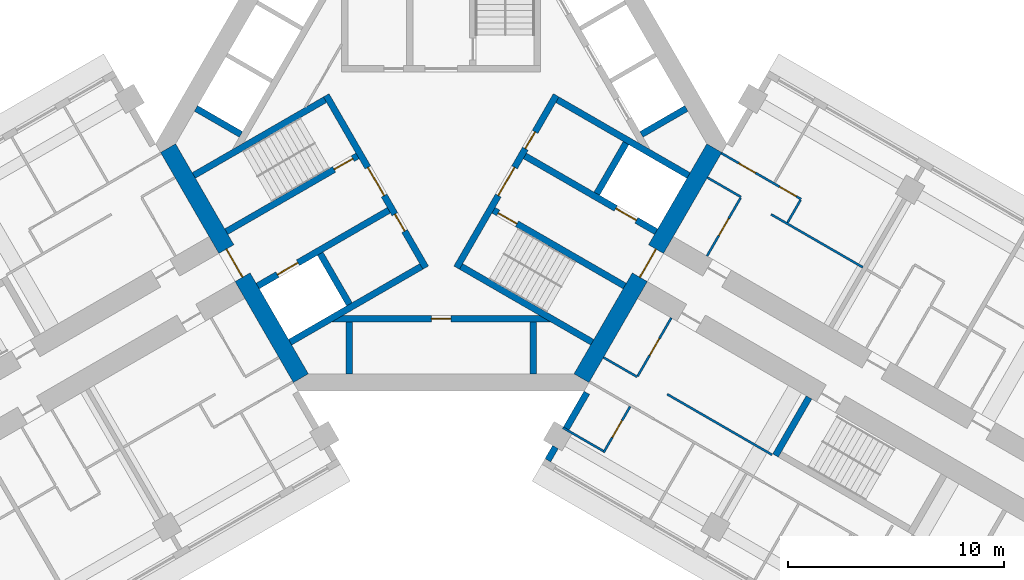
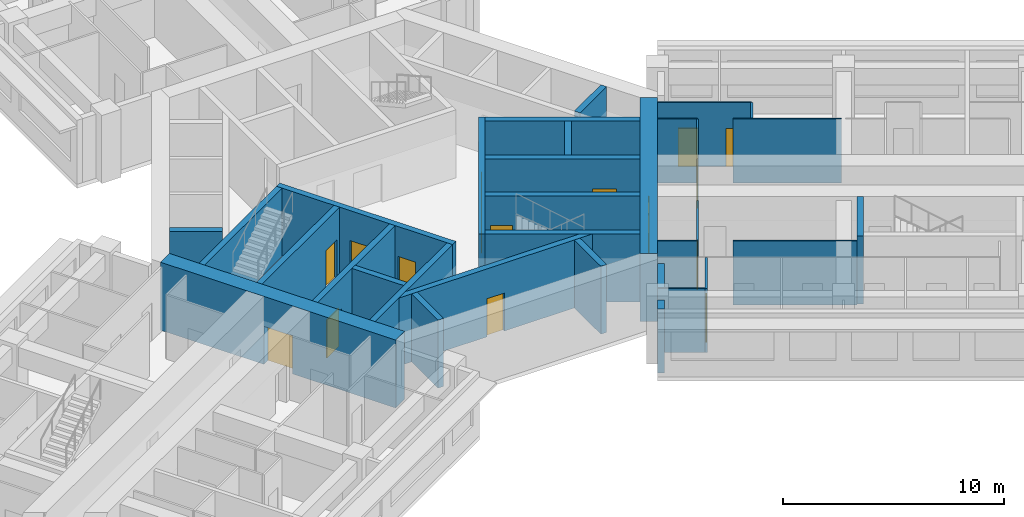
# One storey, part 7 of 16: 32 walls, 16 doors, 16 openings.
"""IFC4 building model written with IfcOpenShell, lengths in metres."""

from ifc_helpers import new_model, si_unit, direction, frame, frame_2d, origin, place, context, subcontext, project, spatial, rectangle, extrude, material, layer, layer_set, type_object, element, fill, save


model = new_model("IFC4")

# Units and contexts
model_context = context("Model", 3, precision=1e-05, world=origin(), true_north=direction((0.0, 1.0)))
body_context = subcontext(model_context, "Body", "Model", "MODEL_VIEW")
ifc_project = project(units=[si_unit("LENGTHUNIT", "METRE"), si_unit("AREAUNIT", "SQUARE_METRE"), si_unit("VOLUMEUNIT", "CUBIC_METRE"), si_unit("PLANEANGLEUNIT", "RADIAN"), si_unit("MASSUNIT", "GRAM", prefix="KILO")], contexts=[model_context])

# Site, building, storey
site_placement = place(None, origin())
site = spatial("IfcSite", under=ifc_project, at=site_placement, CompositionType="ELEMENT")
building_placement = place(site_placement, origin())
building = spatial("IfcBuilding", under=site, at=building_placement, Name="Impinga Residences", CompositionType="ELEMENT")
storey_placement = place(building_placement, frame((0.0, 0.0, 106.0)))
storey = spatial("IfcBuildingStorey", under=building, at=storey_placement, Name="L25", CompositionType="ELEMENT", Elevation=106.0)

# Walls
ifc_material_1 = material(Name="Terracotta rainscreen on blockwork", Category="masonry")
ifc_layer_1 = layer(ifc_material_1, 0.300048828125)
ifc_layer_set_1 = layer_set([ifc_layer_1], Name="EW1 external wall, terracotta rainscreen on blockwork 300")
wall_type_1 = type_object("IfcWallType", Name="EW1 external wall, terracotta rainscreen on blockwork 300", PredefinedType="SOLIDWALL", material=ifc_layer_set_1)
wall_1_placement = place(storey_placement, frame((4.929931640625, -14.624267578125, 0.0), z_axis=(0.0, 0.0, 1.0), x_axis=(0.499853302173, 0.866110083249, 0.0)))
element("IfcWall", 1, at=wall_1_placement, inside=storey, type_object=wall_type_1, Name="External wall EW1 L25", PredefinedType="SOLIDWALL", context=body_context, shape_type="SweptSolid", body=[
    extrude(rectangle(XDim=0.699951171875, YDim=0.300048828125, at=frame_2d((0.35009765625, 0.0))), origin(), (0.0, 0.0, 1.0), 3.530029296875),
])
wall_2_placement = place(storey_placement, frame((5.77978515625, -13.152099609375, 0.0), z_axis=(0.0, 0.0, 1.0), x_axis=(0.500063520245, 0.865988727248, 0.0)))
element("IfcWall", 2, at=wall_2_placement, inside=storey, type_object=wall_type_1, Name="External wall EW1 L25", PredefinedType="SOLIDWALL", context=body_context, shape_type="SweptSolid", body=[
    extrude(rectangle(XDim=1.900146484375, YDim=0.300048828125, at=frame_2d((0.9501953125, 0.0))), origin(), (0.0, 0.0, 1.0), 3.530029296875),
])
ifc_material_2 = material(Name="Gypsum board on steel studs", Category="steel")
ifc_layer_2 = layer(ifc_material_2, 0.10009765625)
ifc_layer_set_2 = layer_set([ifc_layer_2], Name="Gypsum board on steel studs")
wall_type_2 = type_object("IfcWallType", Name="IP1 partition 100", PredefinedType="PARTITIONING", material=ifc_layer_set_2)
wall_3_placement = place(storey_placement, frame((12.300048828125, -1.558837890625, 0.0), z_axis=(0.0, 0.0, 1.0), x_axis=(0.866047807691, -0.499961193289, 0.0)))
element("IfcWall", 3, at=wall_3_placement, inside=storey, type_object=wall_type_2, Name="Partition L25-EA1:DIV0", PredefinedType="PARTITIONING", context=body_context, shape_type="SweptSolid", body=[
    extrude(rectangle(XDim=1.800048828125, YDim=0.10009765625, at=frame_2d((0.89990234375, 0.0))), origin(), (0.0, 0.0, 1.0), 3.530029296875),
])
wall_4_placement = place(storey_placement, frame((15.244384765625, -3.2587890625, 0.0), z_axis=(0.0, 0.0, 1.0), x_axis=(0.866036242063, -0.49998122708, 0.0)))
element("IfcWall", 4, at=wall_4_placement, inside=storey, type_object=wall_type_2, Name="Partition L25-EA1:DIV1", PredefinedType="PARTITIONING", context=body_context, shape_type="SweptSolid", body=[
    extrude(rectangle(XDim=4.900146484375, YDim=0.10009765625, at=frame_2d((2.4501953125, 0.0))), origin(), (0.0, 0.0, 1.0), 3.530029296875),
])

# Wall, openings, doors
wall_5_placement = place(storey_placement, frame((12.949951171875, -0.43310546875, 0.0), z_axis=(0.0, 0.0, 1.0), x_axis=(0.866028703517, -0.499994284652, 0.0)))
wall_5 = element("IfcWall", 5, at=wall_5_placement, inside=storey, type_object=wall_type_2, Name="Partition L25-EA1:STRIP", PredefinedType="PARTITIONING", context=body_context, shape_type="SweptSolid", body=[
    extrude(rectangle(XDim=4.25, YDim=0.10009765625, at=frame_2d((2.125, 0.0))), origin(), (0.0, 0.0, 1.0), 3.530029296875),
])
opening_1_placement = place(wall_5_placement, frame((0.925048828125, 0.0, 0.0)))
opening_1 = element("IfcOpeningElement", 6, at=opening_1_placement, cuts=wall_5, Name="Opening D2", PredefinedType="OPENING", context=body_context, shape_type="SweptSolid", body=[
    extrude(rectangle(XDim=0.89990234375, YDim=2.10009765625, at=frame_2d((0.449951171875, 1.050048828125))), frame((0.0, 0.06005859375, 0.0), z_axis=(0.0, -1.0, 0.0), x_axis=(1.0, 0.0, 0.0)), (0.0, 0.0, 1.0), 0.1201171875),
])
opening_2_placement = place(wall_5_placement, frame((3.10009765625, 0.0, 0.0)))
opening_2 = element("IfcOpeningElement", 7, at=opening_2_placement, cuts=wall_5, Name="Opening D2", PredefinedType="OPENING", context=body_context, shape_type="SweptSolid", body=[
    extrude(rectangle(XDim=0.89990234375, YDim=2.10009765625, at=frame_2d((0.449951171875, 1.050048828125))), frame((0.0, 0.06005859375, 0.0), z_axis=(0.0, -1.0, 0.0), x_axis=(1.0, 0.0, 0.0)), (0.0, 0.0, 1.0), 0.1201171875),
])
ifc_material_3 = material(Name="Timber door set", Category="wood")
door_type_1 = type_object("IfcDoorType", Name="D2 internal door 900x2100", OperationType="SINGLE_SWING_LEFT", PredefinedType="DOOR", material=ifc_material_3)
door_1_placement = place(opening_1_placement, origin())
door_1 = element("IfcDoor", 8, at=door_1_placement, inside=storey, type_object=door_type_1, Name="Apartment L25-EA1 room door", OperationType="SINGLE_SWING_LEFT", OverallHeight=2.10009765625, OverallWidth=0.89990234375, PredefinedType="DOOR", context=body_context, shape_type="SweptSolid", body=[
    extrude(rectangle(XDim=0.89990234375, YDim=2.10009765625, at=frame_2d((0.449951171875, 1.050048828125))), frame((0.0, 0.02490234375, 0.0), z_axis=(0.0, -1.0, 0.0), x_axis=(1.0, 0.0, 0.0)), (0.0, 0.0, 1.0), 0.050048828125),
])
fill(opening_1, door_1)
door_2_placement = place(opening_2_placement, origin())
door_2 = element("IfcDoor", 9, at=door_2_placement, inside=storey, type_object=door_type_1, Name="Apartment L25-EA1 room door", OperationType="SINGLE_SWING_RIGHT", OverallHeight=2.10009765625, OverallWidth=0.89990234375, PredefinedType="DOOR", context=body_context, shape_type="SweptSolid", body=[
    extrude(rectangle(XDim=0.89990234375, YDim=2.10009765625, at=frame_2d((0.449951171875, 1.050048828125))), frame((0.0, 0.02490234375, 0.0), z_axis=(0.0, -1.0, 0.0), x_axis=(1.0, 0.0, 0.0)), (0.0, 0.0, 1.0), 0.050048828125),
])
fill(opening_2, door_2)

# Wall
wall_6_placement = place(storey_placement, frame((16.005615234375, -3.640625, 0.0), z_axis=(0.0, 0.0, 1.0), x_axis=(0.500033551112, 0.866006032174, 0.0)))
element("IfcWall", 10, at=wall_6_placement, inside=storey, type_object=wall_type_2, Name="Partition L25-EA1:SE1", PredefinedType="PARTITIONING", context=body_context, shape_type="SweptSolid", body=[
    extrude(rectangle(XDim=1.2001953125, YDim=0.10009765625, at=frame_2d((0.60009765625, 0.0))), origin(), (0.0, 0.0, 1.0), 3.530029296875),
])

# Wall, opening, door
wall_7_placement = place(storey_placement, frame((12.283935546875, -5.186767578125, 0.0), z_axis=(0.0, 0.0, 1.0), x_axis=(0.499967891604, 0.866043940782, 0.0)))
wall_7 = element("IfcWall", 11, at=wall_7_placement, inside=storey, type_object=wall_type_2, Name="Partition L25-EA1:IB1", PredefinedType="PARTITIONING", context=body_context, shape_type="SweptSolid", body=[
    extrude(rectangle(XDim=3.099853515625, YDim=0.10009765625, at=frame_2d((1.5498046875, 0.0))), origin(), (0.0, 0.0, 1.0), 3.530029296875),
])
opening_3_placement = place(wall_7_placement, frame((1.10009765625, 0.0, 0.0)))
opening_3 = element("IfcOpeningElement", 12, at=opening_3_placement, cuts=wall_7, Name="Opening D2", PredefinedType="OPENING", context=body_context, shape_type="SweptSolid", body=[
    extrude(rectangle(XDim=0.89990234375, YDim=2.10009765625, at=frame_2d((0.449951171875, 1.050048828125))), frame((0.0, 0.06005859375, 0.0), z_axis=(0.0, -1.0, 0.0), x_axis=(1.0, 0.0, 0.0)), (0.0, 0.0, 1.0), 0.1201171875),
])
door_3_placement = place(opening_3_placement, origin())
door_3 = element("IfcDoor", 13, at=door_3_placement, inside=storey, type_object=door_type_1, Name="Apartment L25-EA1 bathroom door", OperationType="SINGLE_SWING_LEFT", OverallHeight=2.10009765625, OverallWidth=0.89990234375, PredefinedType="DOOR", context=body_context, shape_type="SweptSolid", body=[
    extrude(rectangle(XDim=0.89990234375, YDim=2.10009765625, at=frame_2d((0.449951171875, 1.050048828125))), frame((0.0, 0.02490234375, 0.0), z_axis=(0.0, -1.0, 0.0), x_axis=(1.0, 0.0, 0.0)), (0.0, 0.0, 1.0), 0.050048828125),
])
fill(opening_3, door_3)

# Walls
wall_8_placement = place(storey_placement, frame((7.5, -9.872802734375, 0.0), z_axis=(0.0, 0.0, 1.0), x_axis=(0.866047807691, -0.499961193289, 0.0)))
element("IfcWall", 14, at=wall_8_placement, inside=storey, type_object=wall_type_2, Name="Partition L25-EF1:DIV0", PredefinedType="PARTITIONING", context=body_context, shape_type="SweptSolid", body=[
    extrude(rectangle(XDim=1.800048828125, YDim=0.10009765625, at=frame_2d((0.89990234375, 0.0))), origin(), (0.0, 0.0, 1.0), 3.530029296875),
])
wall_9_placement = place(storey_placement, frame((10.444580078125, -11.57275390625, 0.0), z_axis=(0.0, 0.0, 1.0), x_axis=(0.866015695474, -0.500016814911, 0.0)))
element("IfcWall", 15, at=wall_9_placement, inside=storey, type_object=wall_type_2, Name="Partition L25-EF1:DIV1", PredefinedType="PARTITIONING", context=body_context, shape_type="SweptSolid", body=[
    extrude(rectangle(XDim=5.599853515625, YDim=0.10009765625, at=frame_2d((2.7998046875, 0.0))), origin(), (0.0, 0.0, 1.0), 3.530029296875),
])

# Wall, opening, door
wall_10_placement = place(storey_placement, frame((10.6337890625, -8.044677734375, 0.0), z_axis=(0.0, 0.0, 1.0), x_axis=(-0.49999285859, -0.86602952684, 0.0)))
wall_10 = element("IfcWall", 16, at=wall_10_placement, inside=storey, type_object=wall_type_2, Name="Partition L25-EF1:IB1", PredefinedType="PARTITIONING", context=body_context, shape_type="SweptSolid", body=[
    extrude(rectangle(XDim=3.10009765625, YDim=0.10009765625, at=frame_2d((1.550048828125, 0.0))), origin(), (0.0, 0.0, 1.0), 3.530029296875),
])
opening_4_placement = place(wall_10_placement, frame((1.10009765625, 0.0, 0.0)))
opening_4 = element("IfcOpeningElement", 17, at=opening_4_placement, cuts=wall_10, Name="Opening D2", PredefinedType="OPENING", context=body_context, shape_type="SweptSolid", body=[
    extrude(rectangle(XDim=0.89990234375, YDim=2.10009765625, at=frame_2d((0.449951171875, 1.050048828125))), frame((0.0, 0.06005859375, 0.0), z_axis=(0.0, -1.0, 0.0), x_axis=(1.0, 0.0, 0.0)), (0.0, 0.0, 1.0), 0.1201171875),
])
door_4_placement = place(opening_4_placement, origin())
door_4 = element("IfcDoor", 18, at=door_4_placement, inside=storey, type_object=door_type_1, Name="Apartment L25-EF1 bathroom door", OperationType="SINGLE_SWING_LEFT", OverallHeight=2.10009765625, OverallWidth=0.89990234375, PredefinedType="DOOR", context=body_context, shape_type="SweptSolid", body=[
    extrude(rectangle(XDim=0.89990234375, YDim=2.10009765625, at=frame_2d((0.449951171875, 1.050048828125))), frame((0.0, 0.02490234375, 0.0), z_axis=(0.0, -1.0, 0.0), x_axis=(1.0, 0.0, 0.0)), (0.0, 0.0, 1.0), 0.050048828125),
])
fill(opening_4, door_4)

wall_11_placement = place(storey_placement, frame((8.730224609375, -12.141845703125, 0.0), z_axis=(0.0, 0.0, 1.0), x_axis=(-0.499943856944, -0.866057815567, 0.0)))
wall_11 = element("IfcWall", 19, at=wall_11_placement, inside=storey, type_object=wall_type_2, Name="Partition L25-EF1:EN1", PredefinedType="PARTITIONING", context=body_context, shape_type="SweptSolid", body=[
    extrude(rectangle(XDim=2.449951171875, YDim=0.10009765625, at=frame_2d((1.22509765625, 0.0))), origin(), (0.0, 0.0, 1.0), 3.530029296875),
])
opening_5_placement = place(wall_11_placement, frame((0.75, 0.0, 0.0)))
opening_5 = element("IfcOpeningElement", 20, at=opening_5_placement, cuts=wall_11, Name="Opening D2", PredefinedType="OPENING", context=body_context, shape_type="SweptSolid", body=[
    extrude(rectangle(XDim=0.89990234375, YDim=2.10009765625, at=frame_2d((0.449951171875, 1.050048828125))), frame((0.0, 0.06005859375, 0.0), z_axis=(0.0, -1.0, 0.0), x_axis=(1.0, 0.0, 0.0)), (0.0, 0.0, 1.0), 0.1201171875),
])
door_5_placement = place(opening_5_placement, origin())
door_5 = element("IfcDoor", 21, at=door_5_placement, inside=storey, type_object=door_type_1, Name="Apartment L25-EF1 en-suite door", OperationType="SINGLE_SWING_LEFT", OverallHeight=2.10009765625, OverallWidth=0.89990234375, PredefinedType="DOOR", context=body_context, shape_type="SweptSolid", body=[
    extrude(rectangle(XDim=0.89990234375, YDim=2.10009765625, at=frame_2d((0.449951171875, 1.050048828125))), frame((0.0, 0.02490234375, 0.0), z_axis=(0.0, -1.0, 0.0), x_axis=(1.0, 0.0, 0.0)), (0.0, 0.0, 1.0), 0.050048828125),
])
fill(opening_5, door_5)

# Walls
wall_12_placement = place(storey_placement, frame((5.625, -13.120361328125, 0.0), z_axis=(0.0, 0.0, 1.0), x_axis=(0.866047553582, -0.499961633463, 0.0)))
element("IfcWall", 22, at=wall_12_placement, inside=storey, type_object=wall_type_2, Name="Partition L25-EF1:EN2", PredefinedType="PARTITIONING", context=body_context, shape_type="SweptSolid", body=[
    extrude(rectangle(XDim=2.150146484375, YDim=0.10009765625, at=frame_2d((1.0751953125, 0.0))), origin(), (0.0, 0.0, 1.0), 3.530029296875),
])
ifc_material_4 = material(Name="Concrete C60/75", Category="concrete")
ifc_layer_3 = layer(ifc_material_4, 0.300048828125)
ifc_layer_set_3 = layer_set([ifc_layer_3], Name="Concrete C60/75")
wall_type_3 = type_object("IfcWallType", Name="SE1 wing stair enclosure wall 300", PredefinedType="SOLIDWALL", material=ifc_layer_set_3)
wall_13_placement = place(storey_placement, frame((16.9990234375, -11.7197265625, 0.0), z_axis=(0.0, 0.0, 1.0), x_axis=(-0.499967891604, -0.866043940782, 0.0)))
element("IfcWall", 23, at=wall_13_placement, inside=storey, type_object=wall_type_3, Name="Stair enclosure wall SE1 E END0 L25", PredefinedType="SOLIDWALL", context=body_context, shape_type="SweptSolid", body=[
    extrude(rectangle(XDim=3.099853515625, YDim=0.300048828125, at=frame_2d((1.5498046875, 0.0))), origin(), (0.0, 0.0, 1.0), 3.75),
])

# Wall, opening, door
ifc_layer_4 = layer(ifc_material_4, 0.800048828125)
ifc_layer_set_4 = layer_set([ifc_layer_4], Name="Concrete C60/75")
wall_type_4 = type_object("IfcWallType", Name="SW2 core wall 800", PredefinedType="SHEAR", material=ifc_layer_set_4)
wall_14_placement = place(storey_placement, frame((-6.484619140625, -10.83154296875, 0.0), z_axis=(0.0, 0.0, 1.0), x_axis=(-0.499986991068, 0.866032914365, 0.0)))
wall_14 = element("IfcWall", 24, at=wall_14_placement, inside=storey, type_object=wall_type_4, Name="Core wall SW2 W:FACE L25", PredefinedType="SHEAR", context=body_context, shape_type="SweptSolid", body=[
    extrude(rectangle(XDim=12.276123046875, YDim=0.800048828125, at=frame_2d((6.13818359375, 0.0))), origin(), (0.0, 0.0, 1.0), 3.75),
])
opening_6_placement = place(wall_14_placement, frame((5.38818359375, 0.0, 0.0)))
opening_6 = element("IfcOpeningElement", 25, at=opening_6_placement, cuts=wall_14, Name="Opening D4", PredefinedType="OPENING", context=body_context, shape_type="SweptSolid", body=[
    extrude(rectangle(XDim=1.5, YDim=2.10009765625, at=frame_2d((0.75, 1.050048828125))), frame((0.0, 0.409912109375, 0.0), z_axis=(0.0, -1.0, 0.0), x_axis=(1.0, 0.0, 0.0)), (0.0, 0.0, 1.0), 0.820068359375),
])
door_type_2 = type_object("IfcDoorType", Name="D4 lobby door pair 1500x2100", OperationType="DOUBLE_DOOR_DOUBLE_SWING", PredefinedType="DOOR", material=ifc_material_3)
door_6_placement = place(opening_6_placement, origin())
door_6 = element("IfcDoor", 26, at=door_6_placement, inside=storey, type_object=door_type_2, Name="Lobby door W", OperationType="DOUBLE_DOOR_DOUBLE_SWING", OverallHeight=2.10009765625, OverallWidth=1.5, PredefinedType="DOOR", context=body_context, shape_type="SweptSolid", body=[
    extrude(rectangle(XDim=1.5, YDim=2.10009765625, at=frame_2d((0.75, 1.050048828125))), frame((0.0, 0.02490234375, 0.0), z_axis=(0.0, -1.0, 0.0), x_axis=(1.0, 0.0, 0.0)), (0.0, 0.0, 1.0), 0.050048828125),
])
fill(opening_6, door_6)

wall_15_placement = place(storey_placement, frame((12.62255859375, -0.199951171875, 0.0), z_axis=(0.0, 0.0, 1.0), x_axis=(-0.499986991068, -0.866032914365, 0.0)))
wall_15 = element("IfcWall", 27, at=wall_15_placement, inside=storey, type_object=wall_type_4, Name="Core wall SW2 E:FACE L25", PredefinedType="SHEAR", context=body_context, shape_type="SweptSolid", body=[
    extrude(rectangle(XDim=12.276123046875, YDim=0.800048828125, at=frame_2d((6.13818359375, 0.0))), origin(), (0.0, 0.0, 1.0), 3.75),
])
opening_7_placement = place(wall_15_placement, frame((5.38818359375, 0.0, 0.0)))
opening_7 = element("IfcOpeningElement", 28, at=opening_7_placement, cuts=wall_15, Name="Opening D4", PredefinedType="OPENING", context=body_context, shape_type="SweptSolid", body=[
    extrude(rectangle(XDim=1.5, YDim=2.10009765625, at=frame_2d((0.75, 1.050048828125))), frame((0.0, 0.409912109375, 0.0), z_axis=(0.0, -1.0, 0.0), x_axis=(1.0, 0.0, 0.0)), (0.0, 0.0, 1.0), 0.820068359375),
])
door_7_placement = place(opening_7_placement, origin())
door_7 = element("IfcDoor", 29, at=door_7_placement, inside=storey, type_object=door_type_2, Name="Lobby door E", OperationType="DOUBLE_DOOR_DOUBLE_SWING", OverallHeight=2.10009765625, OverallWidth=1.5, PredefinedType="DOOR", context=body_context, shape_type="SweptSolid", body=[
    extrude(rectangle(XDim=1.5, YDim=2.10009765625, at=frame_2d((0.75, 1.050048828125))), frame((0.0, 0.02490234375, 0.0), z_axis=(0.0, -1.0, 0.0), x_axis=(1.0, 0.0, 0.0)), (0.0, 0.0, 1.0), 0.050048828125),
])
fill(opening_7, door_7)

# Wall, openings, doors
ifc_material_5 = material(Name="Concrete C70/85", Category="concrete")
ifc_layer_5 = layer(ifc_material_5, 0.300048828125)
ifc_layer_set_5 = layer_set([ifc_layer_5], Name="Concrete C70/85")
wall_type_5 = type_object("IfcWallType", Name="SW5 core inner wall, stairs, shafts and lobbies 300", PredefinedType="SHEAR", material=ifc_layer_set_5)
wall_16_placement = place(storey_placement, frame((-0.7138671875, -5.7236328125, 0.0), z_axis=(0.0, 0.0, 1.0), x_axis=(-0.499995050369, 0.866028261437, 0.0)))
wall_16 = element("IfcWall", 30, at=wall_16_placement, inside=storey, type_object=wall_type_5, Name="Core wall SW5 W:ZONE L25", PredefinedType="SHEAR", context=body_context, shape_type="SweptSolid", body=[
    extrude(rectangle(XDim=9.19970703125, YDim=0.300048828125, at=frame_2d((4.599853515625, 0.0))), origin(), (0.0, 0.0, 1.0), 3.75),
])
opening_8_placement = place(wall_16_placement, frame((3.85009765625, 0.0, 0.0)))
opening_8 = element("IfcOpeningElement", 31, at=opening_8_placement, cuts=wall_16, Name="Opening D4", PredefinedType="OPENING", context=body_context, shape_type="SweptSolid", body=[
    extrude(rectangle(XDim=1.5, YDim=2.10009765625, at=frame_2d((0.75, 1.050048828125))), frame((0.0, 0.159912109375, 0.0), z_axis=(0.0, -1.0, 0.0), x_axis=(1.0, 0.0, 0.0)), (0.0, 0.0, 1.0), 0.320068359375),
])
opening_9_placement = place(wall_16_placement, frame((1.949951171875, 0.0, 0.0)))
opening_9 = element("IfcOpeningElement", 32, at=opening_9_placement, cuts=wall_16, Name="Opening D6", PredefinedType="OPENING", context=body_context, shape_type="SweptSolid", body=[
    extrude(rectangle(XDim=0.89990234375, YDim=2.10009765625, at=frame_2d((0.449951171875, 1.050048828125))), frame((0.0, 0.159912109375, 0.0), z_axis=(0.0, -1.0, 0.0), x_axis=(1.0, 0.0, 0.0)), (0.0, 0.0, 1.0), 0.320068359375),
])
door_8_placement = place(opening_8_placement, origin())
door_8 = element("IfcDoor", 33, at=door_8_placement, inside=storey, type_object=door_type_2, Name="Firefighting lobby door W", OperationType="DOUBLE_DOOR_DOUBLE_SWING", OverallHeight=2.10009765625, OverallWidth=1.5, PredefinedType="DOOR", context=body_context, shape_type="SweptSolid", body=[
    extrude(rectangle(XDim=1.5, YDim=2.10009765625, at=frame_2d((0.75, 1.050048828125))), frame((0.0, 0.02490234375, 0.0), z_axis=(0.0, -1.0, 0.0), x_axis=(1.0, 0.0, 0.0)), (0.0, 0.0, 1.0), 0.050048828125),
])
fill(opening_8, door_8)
door_type_3 = type_object("IfcDoorType", Name="D6 riser and store door 900x2100", OperationType="SINGLE_SWING_LEFT", PredefinedType="DOOR", material=ifc_material_3)
door_9_placement = place(opening_9_placement, origin())
door_9 = element("IfcDoor", 34, at=door_9_placement, inside=storey, type_object=door_type_3, Name="Riser door W", OperationType="SINGLE_SWING_LEFT", OverallHeight=2.10009765625, OverallWidth=0.89990234375, PredefinedType="DOOR", context=body_context, shape_type="SweptSolid", body=[
    extrude(rectangle(XDim=0.89990234375, YDim=2.10009765625, at=frame_2d((0.449951171875, 1.050048828125))), frame((0.0, 0.02490234375, 0.0), z_axis=(0.0, -1.0, 0.0), x_axis=(1.0, 0.0, 0.0)), (0.0, 0.0, 1.0), 0.050048828125),
])
fill(opening_9, door_9)

# Wall, opening, door
wall_17_placement = place(storey_placement, frame((-3.86865234375, -0.559326171875, 0.0), z_axis=(0.0, 0.0, 1.0), x_axis=(-0.866026480128, -0.499998135713, 0.0)))
wall_17 = element("IfcWall", 35, at=wall_17_placement, inside=storey, type_object=wall_type_5, Name="Core wall SW5 W:ST-IN L25", PredefinedType="SHEAR", context=body_context, shape_type="SweptSolid", body=[
    extrude(rectangle(XDim=7.00146484375, YDim=0.300048828125, at=frame_2d((3.500732421875, 0.0))), origin(), (0.0, 0.0, 1.0), 3.75),
])
opening_10_placement = place(wall_17_placement, frame((0.25, 0.0, 0.0)))
opening_10 = element("IfcOpeningElement", 36, at=opening_10_placement, cuts=wall_17, Name="Opening D5", PredefinedType="OPENING", context=body_context, shape_type="SweptSolid", body=[
    extrude(rectangle(XDim=1.0, YDim=2.10009765625, at=frame_2d((0.5, 1.050048828125))), frame((0.0, 0.159912109375, 0.0), z_axis=(0.0, -1.0, 0.0), x_axis=(1.0, 0.0, 0.0)), (0.0, 0.0, 1.0), 0.320068359375),
])
door_type_4 = type_object("IfcDoorType", Name="D5 stair door 1000x2100", OperationType="SINGLE_SWING_LEFT", PredefinedType="DOOR", material=ifc_material_3)
door_10_placement = place(opening_10_placement, origin())
door_10 = element("IfcDoor", 37, at=door_10_placement, inside=storey, type_object=door_type_4, Name="Stair door W", OperationType="SINGLE_SWING_LEFT", OverallHeight=2.10009765625, OverallWidth=1.0, PredefinedType="DOOR", context=body_context, shape_type="SweptSolid", body=[
    extrude(rectangle(XDim=1.0, YDim=2.10009765625, at=frame_2d((0.5, 1.050048828125))), frame((0.0, 0.02490234375, 0.0), z_axis=(0.0, -1.0, 0.0), x_axis=(1.0, 0.0, 0.0)), (0.0, 0.0, 1.0), 0.050048828125),
])
fill(opening_10, door_10)

# Wall
wall_18_placement = place(storey_placement, frame((-5.36865234375, 2.038818359375, 0.0), z_axis=(0.0, 0.0, 1.0), x_axis=(-0.866026480128, -0.499998135713, 0.0)))
element("IfcWall", 38, at=wall_18_placement, inside=storey, type_object=wall_type_5, Name="Core wall SW5 W:ST-OUT L25", PredefinedType="SHEAR", context=body_context, shape_type="SweptSolid", body=[
    extrude(rectangle(XDim=7.00146484375, YDim=0.300048828125, at=frame_2d((3.500732421875, 0.0))), origin(), (0.0, 0.0, 1.0), 3.75),
])

# Wall, opening, door
wall_19_placement = place(storey_placement, frame((-2.418701171875, -3.07080078125, 0.0), z_axis=(0.0, 0.0, 1.0), x_axis=(-0.866026480128, -0.499998135713, 0.0)))
wall_19 = element("IfcWall", 39, at=wall_19_placement, inside=storey, type_object=wall_type_5, Name="Core wall SW5 W:FF-IN L25", PredefinedType="SHEAR", context=body_context, shape_type="SweptSolid", body=[
    extrude(rectangle(XDim=7.00146484375, YDim=0.300048828125, at=frame_2d((3.500732421875, 0.0))), origin(), (0.0, 0.0, 1.0), 3.75),
])
opening_11_placement = place(wall_19_placement, frame((4.85009765625, 0.0, 0.0)))
opening_11 = element("IfcOpeningElement", 40, at=opening_11_placement, cuts=wall_19, Name="Opening LD2", PredefinedType="OPENING", context=body_context, shape_type="SweptSolid", body=[
    extrude(rectangle(XDim=1.10009765625, YDim=2.10009765625, at=frame_2d((0.550048828125, 1.050048828125))), frame((0.0, 0.159912109375, 0.0), z_axis=(0.0, -1.0, 0.0), x_axis=(1.0, 0.0, 0.0)), (0.0, 0.0, 1.0), 0.320068359375),
])
ifc_material_6 = material(Name="Steel lift landing door", Category="steel")
door_type_5 = type_object("IfcDoorType", Name="LD2 firefighting lift landing door 1100x2100", OperationType="DOUBLE_DOOR_SLIDING", PredefinedType="DOOR", material=ifc_material_6)
door_11_placement = place(opening_11_placement, origin())
door_11 = element("IfcDoor", 41, at=door_11_placement, inside=storey, type_object=door_type_5, Name="Firefighting lift landing door F2", OperationType="DOUBLE_DOOR_SLIDING", OverallHeight=2.10009765625, OverallWidth=1.10009765625, PredefinedType="DOOR", context=body_context, shape_type="SweptSolid", body=[
    extrude(rectangle(XDim=1.10009765625, YDim=2.10009765625, at=frame_2d((0.550048828125, 1.050048828125))), frame((0.0, 0.02490234375, 0.0), z_axis=(0.0, -1.0, 0.0), x_axis=(1.0, 0.0, 0.0)), (0.0, 0.0, 1.0), 0.050048828125),
])
fill(opening_11, door_11)

# Walls
wall_20_placement = place(storey_placement, frame((-0.918701171875, -5.668701171875, 0.0), z_axis=(0.0, 0.0, 1.0), x_axis=(-0.866011380966, -0.500024287448, 0.0)))
element("IfcWall", 42, at=wall_20_placement, inside=storey, type_object=wall_type_5, Name="Core wall SW5 W:FF-OUT L25", PredefinedType="SHEAR", context=body_context, shape_type="SweptSolid", body=[
    extrude(rectangle(XDim=7.001708984375, YDim=0.300048828125, at=frame_2d((3.5009765625, 0.0))), origin(), (0.0, 0.0, 1.0), 3.75),
])
wall_21_placement = place(storey_placement, frame((-4.2412109375, -7.413818359375, 0.0), z_axis=(0.0, 0.0, 1.0), x_axis=(-0.500048589285, 0.86599734893, 0.0)))
element("IfcWall", 43, at=wall_21_placement, inside=storey, type_object=wall_type_5, Name="Core wall SW5 W:FF-RS L25", PredefinedType="SHEAR", context=body_context, shape_type="SweptSolid", body=[
    extrude(rectangle(XDim=2.699951171875, YDim=0.300048828125, at=frame_2d((1.35009765625, 0.0))), origin(), (0.0, 0.0, 1.0), 3.75),
])

# Wall, openings, doors
wall_22_placement = place(storey_placement, frame((5.313720703125, 2.24365234375, 0.0), z_axis=(0.0, 0.0, 1.0), x_axis=(-0.499995050369, -0.866028261437, 0.0)))
wall_22 = element("IfcWall", 44, at=wall_22_placement, inside=storey, type_object=wall_type_5, Name="Core wall SW5 E:ZONE L25", PredefinedType="SHEAR", context=body_context, shape_type="SweptSolid", body=[
    extrude(rectangle(XDim=9.19970703125, YDim=0.300048828125, at=frame_2d((4.599853515625, 0.0))), origin(), (0.0, 0.0, 1.0), 3.75),
])
opening_12_placement = place(wall_22_placement, frame((3.85009765625, 0.0, 0.0)))
opening_12 = element("IfcOpeningElement", 45, at=opening_12_placement, cuts=wall_22, Name="Opening D4", PredefinedType="OPENING", context=body_context, shape_type="SweptSolid", body=[
    extrude(rectangle(XDim=1.5, YDim=2.10009765625, at=frame_2d((0.75, 1.050048828125))), frame((0.0, 0.159912109375, 0.0), z_axis=(0.0, -1.0, 0.0), x_axis=(1.0, 0.0, 0.0)), (0.0, 0.0, 1.0), 0.320068359375),
])
opening_13_placement = place(wall_22_placement, frame((1.949951171875, 0.0, 0.0)))
opening_13 = element("IfcOpeningElement", 46, at=opening_13_placement, cuts=wall_22, Name="Opening D6", PredefinedType="OPENING", context=body_context, shape_type="SweptSolid", body=[
    extrude(rectangle(XDim=0.89990234375, YDim=2.10009765625, at=frame_2d((0.449951171875, 1.050048828125))), frame((0.0, 0.159912109375, 0.0), z_axis=(0.0, -1.0, 0.0), x_axis=(1.0, 0.0, 0.0)), (0.0, 0.0, 1.0), 0.320068359375),
])
door_12_placement = place(opening_12_placement, origin())
door_12 = element("IfcDoor", 47, at=door_12_placement, inside=storey, type_object=door_type_2, Name="Firefighting lobby door E", OperationType="DOUBLE_DOOR_DOUBLE_SWING", OverallHeight=2.10009765625, OverallWidth=1.5, PredefinedType="DOOR", context=body_context, shape_type="SweptSolid", body=[
    extrude(rectangle(XDim=1.5, YDim=2.10009765625, at=frame_2d((0.75, 1.050048828125))), frame((0.0, 0.02490234375, 0.0), z_axis=(0.0, -1.0, 0.0), x_axis=(1.0, 0.0, 0.0)), (0.0, 0.0, 1.0), 0.050048828125),
])
fill(opening_12, door_12)
door_13_placement = place(opening_13_placement, origin())
door_13 = element("IfcDoor", 48, at=door_13_placement, inside=storey, type_object=door_type_3, Name="Riser door E", OperationType="SINGLE_SWING_LEFT", OverallHeight=2.10009765625, OverallWidth=0.89990234375, PredefinedType="DOOR", context=body_context, shape_type="SweptSolid", body=[
    extrude(rectangle(XDim=0.89990234375, YDim=2.10009765625, at=frame_2d((0.449951171875, 1.050048828125))), frame((0.0, 0.02490234375, 0.0), z_axis=(0.0, -1.0, 0.0), x_axis=(1.0, 0.0, 0.0)), (0.0, 0.0, 1.0), 0.050048828125),
])
fill(opening_13, door_13)

# Wall, opening, door
wall_23_placement = place(storey_placement, frame((2.418701171875, -3.07080078125, 0.0), z_axis=(0.0, 0.0, 1.0), x_axis=(0.866026480128, -0.499998135713, 0.0)))
wall_23 = element("IfcWall", 49, at=wall_23_placement, inside=storey, type_object=wall_type_5, Name="Core wall SW5 E:ST-IN L25", PredefinedType="SHEAR", context=body_context, shape_type="SweptSolid", body=[
    extrude(rectangle(XDim=7.00146484375, YDim=0.300048828125, at=frame_2d((3.500732421875, 0.0))), origin(), (0.0, 0.0, 1.0), 3.75),
])
opening_14_placement = place(wall_23_placement, frame((0.25, 0.0, 0.0)))
opening_14 = element("IfcOpeningElement", 50, at=opening_14_placement, cuts=wall_23, Name="Opening D5", PredefinedType="OPENING", context=body_context, shape_type="SweptSolid", body=[
    extrude(rectangle(XDim=1.0, YDim=2.10009765625, at=frame_2d((0.5, 1.050048828125))), frame((0.0, 0.159912109375, 0.0), z_axis=(0.0, -1.0, 0.0), x_axis=(1.0, 0.0, 0.0)), (0.0, 0.0, 1.0), 0.320068359375),
])
door_14_placement = place(opening_14_placement, origin())
door_14 = element("IfcDoor", 51, at=door_14_placement, inside=storey, type_object=door_type_4, Name="Stair door E", OperationType="SINGLE_SWING_LEFT", OverallHeight=2.10009765625, OverallWidth=1.0, PredefinedType="DOOR", context=body_context, shape_type="SweptSolid", body=[
    extrude(rectangle(XDim=1.0, YDim=2.10009765625, at=frame_2d((0.5, 1.050048828125))), frame((0.0, 0.02490234375, 0.0), z_axis=(0.0, -1.0, 0.0), x_axis=(1.0, 0.0, 0.0)), (0.0, 0.0, 1.0), 0.050048828125),
])
fill(opening_14, door_14)

# Wall
wall_24_placement = place(storey_placement, frame((0.918701171875, -5.668701171875, 0.0), z_axis=(0.0, 0.0, 1.0), x_axis=(0.866011380966, -0.500024287448, 0.0)))
element("IfcWall", 52, at=wall_24_placement, inside=storey, type_object=wall_type_5, Name="Core wall SW5 E:ST-OUT L25", PredefinedType="SHEAR", context=body_context, shape_type="SweptSolid", body=[
    extrude(rectangle(XDim=7.001708984375, YDim=0.300048828125, at=frame_2d((3.5009765625, 0.0))), origin(), (0.0, 0.0, 1.0), 3.75),
])

# Wall, opening, door
wall_25_placement = place(storey_placement, frame((3.86865234375, -0.559326171875, 0.0), z_axis=(0.0, 0.0, 1.0), x_axis=(0.866026480128, -0.499998135713, 0.0)))
wall_25 = element("IfcWall", 53, at=wall_25_placement, inside=storey, type_object=wall_type_5, Name="Core wall SW5 E:FF-IN L25", PredefinedType="SHEAR", context=body_context, shape_type="SweptSolid", body=[
    extrude(rectangle(XDim=7.00146484375, YDim=0.300048828125, at=frame_2d((3.500732421875, 0.0))), origin(), (0.0, 0.0, 1.0), 3.75),
])
opening_15_placement = place(wall_25_placement, frame((4.85009765625, 0.0, 0.0)))
opening_15 = element("IfcOpeningElement", 54, at=opening_15_placement, cuts=wall_25, Name="Opening LD2", PredefinedType="OPENING", context=body_context, shape_type="SweptSolid", body=[
    extrude(rectangle(XDim=1.10009765625, YDim=2.10009765625, at=frame_2d((0.550048828125, 1.050048828125))), frame((0.0, 0.159912109375, 0.0), z_axis=(0.0, -1.0, 0.0), x_axis=(1.0, 0.0, 0.0)), (0.0, 0.0, 1.0), 0.320068359375),
])
door_15_placement = place(opening_15_placement, origin())
door_15 = element("IfcDoor", 55, at=door_15_placement, inside=storey, type_object=door_type_5, Name="Firefighting lift landing door F3", OperationType="DOUBLE_DOOR_SLIDING", OverallHeight=2.10009765625, OverallWidth=1.10009765625, PredefinedType="DOOR", context=body_context, shape_type="SweptSolid", body=[
    extrude(rectangle(XDim=1.10009765625, YDim=2.10009765625, at=frame_2d((0.550048828125, 1.050048828125))), frame((0.0, 0.02490234375, 0.0), z_axis=(0.0, -1.0, 0.0), x_axis=(1.0, 0.0, 0.0)), (0.0, 0.0, 1.0), 0.050048828125),
])
fill(opening_15, door_15)

# Walls
wall_26_placement = place(storey_placement, frame((5.36865234375, 2.038818359375, 0.0), z_axis=(0.0, 0.0, 1.0), x_axis=(0.866026480128, -0.499998135713, 0.0)))
element("IfcWall", 56, at=wall_26_placement, inside=storey, type_object=wall_type_5, Name="Core wall SW5 E:FF-OUT L25", PredefinedType="SHEAR", context=body_context, shape_type="SweptSolid", body=[
    extrude(rectangle(XDim=7.00146484375, YDim=0.300048828125, at=frame_2d((3.500732421875, 0.0))), origin(), (0.0, 0.0, 1.0), 3.75),
])
wall_27_placement = place(storey_placement, frame((8.541259765625, 0.033935546875, 0.0), z_axis=(0.0, 0.0, 1.0), x_axis=(-0.50000943426, -0.866019956843, 0.0)))
element("IfcWall", 57, at=wall_27_placement, inside=storey, type_object=wall_type_5, Name="Core wall SW5 E:FF-RS L25", PredefinedType="SHEAR", context=body_context, shape_type="SweptSolid", body=[
    extrude(rectangle(XDim=2.7001953125, YDim=0.300048828125, at=frame_2d((1.35009765625, 0.0))), origin(), (0.0, 0.0, 1.0), 3.75),
])

# Wall, opening, door
wall_28_placement = place(storey_placement, frame((5.09765625, -8.08154296875, 0.0), z_axis=(0.0, 0.0, 1.0), x_axis=(-1.0, 0.0, 0.0)))
wall_28 = element("IfcWall", 58, at=wall_28_placement, inside=storey, type_object=wall_type_5, Name="Core wall SW5 N:BANK-FRONT L25", PredefinedType="SHEAR", context=body_context, shape_type="SweptSolid", body=[
    extrude(rectangle(XDim=10.1953125, YDim=0.300048828125, at=frame_2d((5.09765625, 0.0))), origin(), (0.0, 0.0, 1.0), 3.75),
])
opening_16_placement = place(wall_28_placement, frame((4.647705078125, 0.0, 0.0)))
opening_16 = element("IfcOpeningElement", 59, at=opening_16_placement, cuts=wall_28, Name="Opening D6", PredefinedType="OPENING", context=body_context, shape_type="SweptSolid", body=[
    extrude(rectangle(XDim=0.89990234375, YDim=2.10009765625, at=frame_2d((0.449951171875, 1.050048828125))), frame((0.0, 0.159912109375, 0.0), z_axis=(0.0, -1.0, 0.0), x_axis=(1.0, 0.0, 0.0)), (0.0, 0.0, 1.0), 0.320068359375),
])
door_16_placement = place(opening_16_placement, origin())
door_16 = element("IfcDoor", 60, at=door_16_placement, inside=storey, type_object=door_type_3, Name="Residents' parcel room door", OperationType="SINGLE_SWING_LEFT", OverallHeight=2.10009765625, OverallWidth=0.89990234375, PredefinedType="DOOR", context=body_context, shape_type="SweptSolid", body=[
    extrude(rectangle(XDim=0.89990234375, YDim=2.10009765625, at=frame_2d((0.449951171875, 1.050048828125))), frame((0.0, 0.02490234375, 0.0), z_axis=(0.0, -1.0, 0.0), x_axis=(1.0, 0.0, 0.0)), (0.0, 0.0, 1.0), 0.050048828125),
])
fill(opening_16, door_16)

# Walls
for number, where, z_axis, x_axis, name in (
    (61, (4.25, -8.2314453125, 0.0), (0.0, 0.0, 1.0), (0.0, -1.0, 0.0), "Core wall SW5 N:BANK-L L25"),
    (62, (-4.25, -8.2314453125, 0.0), (0.0, 0.0, 1.0), (0.0, -1.0, 0.0), "Core wall SW5 N:BANK-R L25"),
    (63, (9.253662109375, 0.43505859375, 0.0), (0.0, 0.0, 1.0), (0.866006032174, 0.500033551112, 0.0), "Core wall SW5 W:BANK-R L25"),
    (64, (-9.253662109375, 0.43505859375, 0.0), (0.0, 0.0, 1.0), (-0.866006032174, 0.500033551112, 0.0), "Core wall SW5 E:BANK-L L25"),
):
    element("IfcWall", number, at=place(storey_placement, frame(where, z_axis=z_axis, x_axis=x_axis)), inside=storey, type_object=wall_type_5, Name=name, PredefinedType="SHEAR", context=body_context, shape_type="SweptSolid", body=[
        extrude(rectangle(XDim=2.400146484375, YDim=0.300048828125, at=frame_2d((1.2001953125, 0.0))), origin(), (0.0, 0.0, 1.0), 3.75),
    ])

save(model, "model.ifc")
